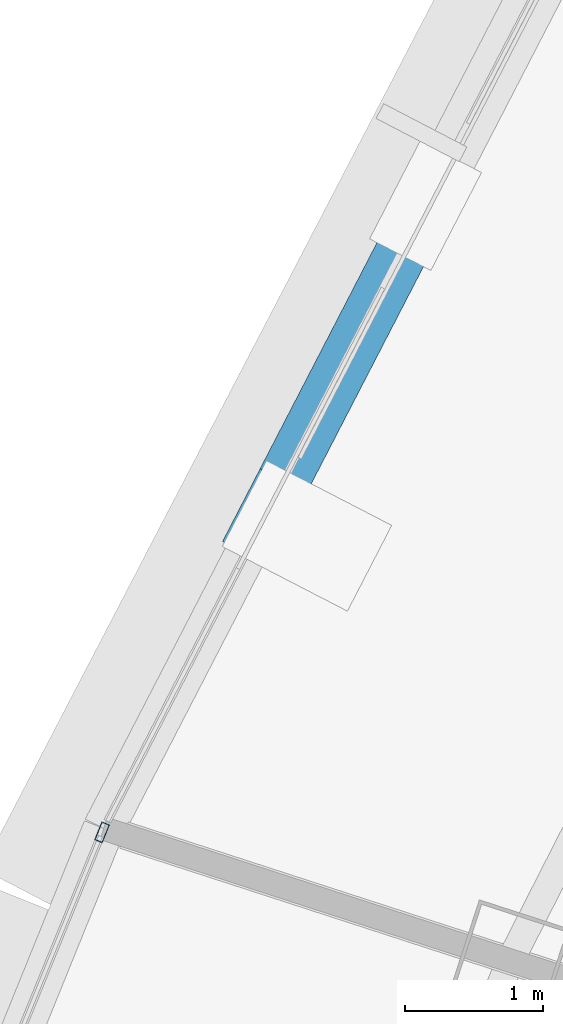
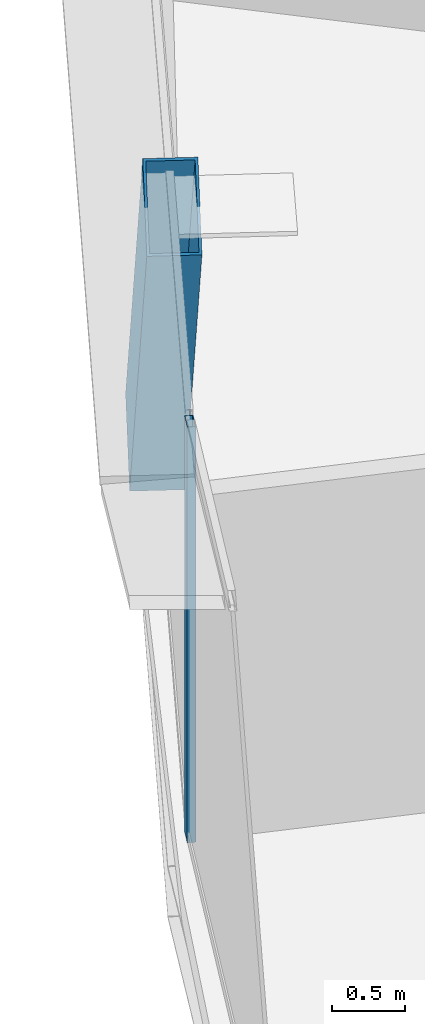
# One storey, part 7 of 27: 2 members, 1 element without a shape of its own.
"""IFC4 building model written with IfcOpenShell, lengths in metres."""

from ifc_helpers import new_model, si_unit, direction, frame, origin, origin_2d, place, context, subcontext, project, spatial, hollow_rectangle, extrude, source, transform, mapped, material, layer, layer_set, material_profile, profile_set, type_object, element, aggregate, save


model = new_model("IFC4")

# Units and contexts
model_context = context("Model", 3, precision=1e-05, world=origin(), true_north=direction((0.0, 1.0)))
body_context = subcontext(model_context, "Body", "Model", "MODEL_VIEW")
ifc_project = project(units=[si_unit("LENGTHUNIT", "METRE"), si_unit("AREAUNIT", "SQUARE_METRE"), si_unit("VOLUMEUNIT", "CUBIC_METRE"), si_unit("PLANEANGLEUNIT", "RADIAN"), si_unit("MASSUNIT", "GRAM", prefix="KILO"), si_unit("THERMODYNAMICTEMPERATUREUNIT", "KELVIN"), si_unit("POWERUNIT", "WATT")], contexts=[model_context])

# Site, building, storey
site_placement = place(None, origin())
site = spatial("IfcSite", under=ifc_project, at=site_placement, CompositionType="ELEMENT")
building_placement = place(site_placement, origin())
building = spatial("IfcBuilding", under=site, at=building_placement, Name="Yunzhuo Pagoda Commons", CompositionType="ELEMENT")
storey_placement = place(building_placement, frame((0.0, 0.0, 344.260009765625)))
storey = spatial("IfcBuildingStorey", under=building, at=storey_placement, Name="L86", CompositionType="ELEMENT", Elevation=344.260009765625)

# Member
ifc_material_1 = material(Name="Structural steel Q355B", Category="steel")
ifc_material_profile_1 = material_profile(ifc_material_1, hollow_rectangle(XDim=0.3798828125, YDim=0.719970703125, WallThickness=0.02001953125, at=origin_2d()), Name="Structural steel Q355B")
ifc_profile_set_1 = profile_set([ifc_material_profile_1], Name="Structural steel Q355B")
member_type_1 = type_object("IfcMemberType", Name="M-DL3 Brace BOX 720x380x20", PredefinedType="BRACE", material=ifc_profile_set_1)
shared_shape_1 = source(origin(), body_context, "Body", "SweptSolid", [
    extrude(hollow_rectangle(XDim=0.3798828125, YDim=0.719970703125, WallThickness=0.02001953125, at=origin_2d()), origin(), (0.0, 0.0, 1.0), 4.530517578125),
])
member_1_placement = place(storey_placement, frame((27.33154296875, 45.691162109375, -0.260009765625), z_axis=(-0.257636265393, -0.498513509968, 0.827712410886), x_axis=(0.888374338506, -0.459119847843, 0.0)))
element("IfcMember", 1, at=member_1_placement, inside=storey, type_object=member_type_1, Name="L86 facade diamond brace F3.2R", PredefinedType="BRACE", context=body_context, shape_type="MappedRepresentation", body=[
    mapped(shared_shape_1, transform((0.0, 0.0, 0.0), scale=1.0)),
])

# Curtain wall, member
ifc_material_2 = material(Name="Anodized aluminium 6063-T6", Category="aluminium")
ifc_layer = layer(ifc_material_2, 0.139892578125)
ifc_layer_set = layer_set([ifc_layer], Name="Anodized aluminium 6063-T6")
curtain_wall_type = type_object("IfcCurtainWallType", Name="CW-HI High-Zone Ribbon Curtain Wall", PredefinedType="NOTDEFINED", material=ifc_layer_set)
curtain_wall_placement = place(storey_placement, origin())
curtain_wall = element("IfcCurtainWall", 2, at=curtain_wall_placement, inside=storey, type_object=curtain_wall_type, Name="L86 curtain wall CW-L86-F3B4", PredefinedType="NOTDEFINED")
ifc_material_profile_2 = material_profile(ifc_material_2, hollow_rectangle(XDim=0.06005859375, YDim=0.139892578125, WallThickness=0.00341796875, at=origin_2d()), Name="Anodized aluminium 6063-T6")
ifc_profile_set_2 = profile_set([ifc_material_profile_2], Name="Anodized aluminium 6063-T6")
member_type_2 = type_object("IfcMemberType", Name="CW-HI-M Mullion RHS 140x60x3.5", PredefinedType="MULLION", material=ifc_profile_set_2)
shared_shape_2 = source(origin(), body_context, "Body", "SweptSolid", [
    extrude(hollow_rectangle(XDim=0.06005859375, YDim=0.139892578125, WallThickness=0.00341796875, at=origin_2d()), origin(), (0.0, 0.0, 1.0), 3.489990234375),
])
member_2_placement = place(storey_placement, frame((24.98583984375, 41.146240234375, 0.0), z_axis=(0.0, 0.0, 1.0), x_axis=(0.925729863061, -0.37818543155, 0.0)))
member_2 = element("IfcMember", 3, at=member_2_placement, type_object=member_type_2, Name="CW mullion 1", PredefinedType="MULLION", context=body_context, shape_type="MappedRepresentation", body=[
    mapped(shared_shape_2, transform((0.0, 0.0, 0.0), scale=1.0)),
])
aggregate(curtain_wall, [member_2])

save(model, "model.ifc")
